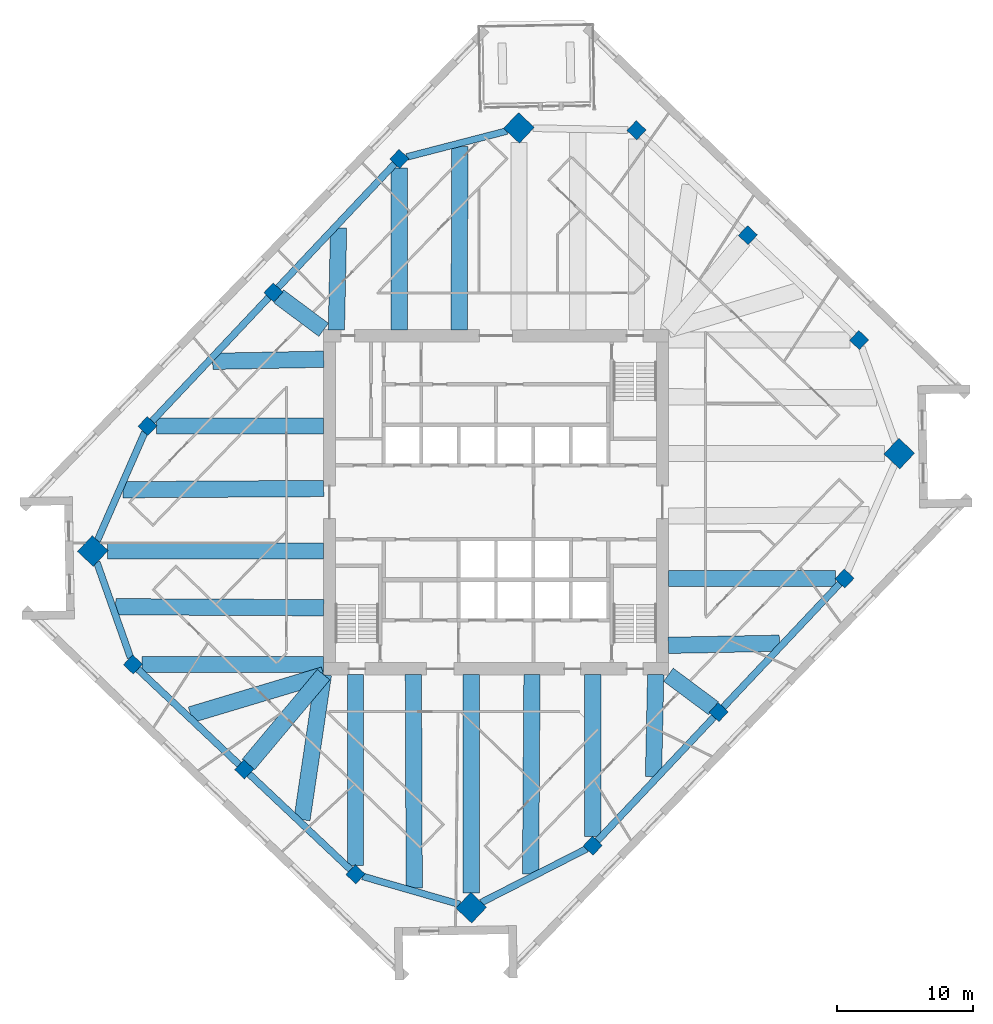
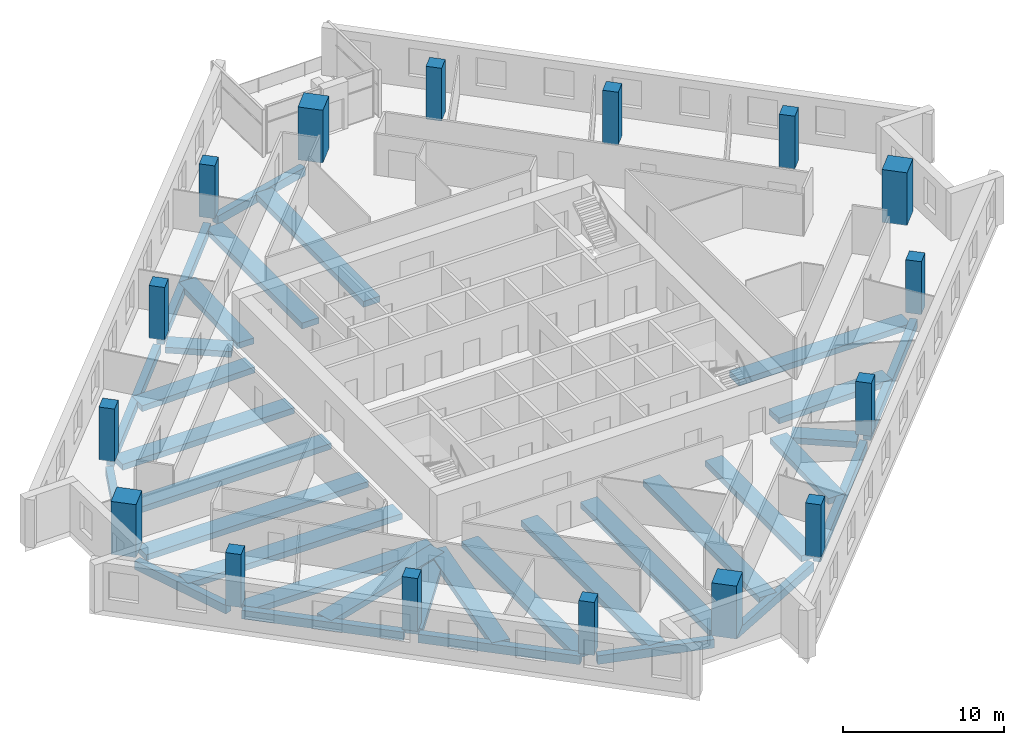
# One storey, part 1 of 13: 33 beams, 16 columns.
"""IFC4 building model written with IfcOpenShell, lengths in metres."""

from ifc_helpers import new_model, si_unit, direction, frame, origin, origin_2d, place, context, subcontext, project, spatial, rectangle, extrude, material, material_profile, profile_set, type_object, element, save


model = new_model("IFC4")

# Units and contexts
model_context = context("Model", 3, precision=1e-05, world=origin(), true_north=direction((0.0, 1.0)))
body_context = subcontext(model_context, "Body", "Model", "MODEL_VIEW")
ifc_project = project(units=[si_unit("LENGTHUNIT", "METRE"), si_unit("AREAUNIT", "SQUARE_METRE"), si_unit("VOLUMEUNIT", "CUBIC_METRE"), si_unit("PLANEANGLEUNIT", "RADIAN"), si_unit("MASSUNIT", "GRAM", prefix="KILO")], contexts=[model_context])

# Site, building, storey
site_placement = place(None, origin())
site = spatial("IfcSite", under=ifc_project, at=site_placement, CompositionType="ELEMENT")
building_placement = place(site_placement, origin())
building = spatial("IfcBuilding", under=site, at=building_placement, Name="Dilmun Exchange Tower", CompositionType="ELEMENT")
storey_placement = place(building_placement, frame((0.0, 0.0, 205.300048828125)))
storey = spatial("IfcBuildingStorey", under=building, at=storey_placement, Name="L48", CompositionType="ELEMENT", Elevation=205.300048828125)

# Columns
ifc_material_1 = material(Name="Concrete C60/75", Category="concrete")
ifc_material_profile_1 = material_profile(ifc_material_1, rectangle(XDim=1.60009765625, YDim=1.60009765625, at=origin_2d()), Name="1600 x 1600")
ifc_profile_set_1 = profile_set([ifc_material_profile_1], Name="Concrete C60/75")
column_type_1 = type_object("IfcColumnType", Name="RC mega column 1600 x 1600 C60/75", PredefinedType="COLUMN", material=ifc_profile_set_1)
for number, where, z_axis, x_axis, name in (
    (1, (1.68505859375, 27.5380859375, 0.0), (0.0, 0.0, 1.0), (0.685916152371, 0.727680583715, 0.0), "Mega column M1"),
    (2, (-29.658935546875, -3.58203125, 0.0), (0.0, 0.0, 1.0), (0.685916152371, 0.727680583715, 0.0), "Mega column M2"),
    (3, (-1.824951171875, -29.818115234375, 0.0), (0.0, 0.0, 1.0), (0.685916152371, 0.727680583715, 0.0), "Mega column M3"),
    (4, (29.658935546875, 3.58203125, 0.0), (0.0, 0.0, 1.0), (0.685916152371, 0.727680583715, 0.0), "Mega column M4"),
):
    element("IfcColumn", number, at=place(storey_placement, frame(where, z_axis=z_axis, x_axis=x_axis)), inside=storey, type_object=column_type_1, Name=name, PredefinedType="COLUMN", context=body_context, shape_type="SweptSolid", body=[
        extrude(rectangle(XDim=1.60009765625, YDim=1.60009765625, at=origin_2d()), origin(), (0.0, 0.0, 1.0), 4.0),
    ])
ifc_material_profile_2 = material_profile(ifc_material_1, rectangle(XDim=1.0, YDim=1.0, at=origin_2d()), Name="1000 x 1000")
ifc_profile_set_2 = profile_set([ifc_material_profile_2], Name="Concrete C60/75")
column_type_2 = type_object("IfcColumnType", Name="RC ring column 1000 x 1000 C60/75", PredefinedType="COLUMN", material=ifc_profile_set_2)
for number, where, z_axis, x_axis, name in (
    (5, (-7.113037109375, 25.257080078125, 0.0), (0.0, 0.0, 1.0), (0.685916152371, 0.727680583715, 0.0), "Ring column R01"),
    (6, (-16.373046875, 15.43310546875, 0.0), (0.0, 0.0, 1.0), (0.685916152371, 0.727680583715, 0.0), "Ring column R02"),
    (7, (-25.633056640625, 5.60888671875, 0.0), (0.0, 0.0, 1.0), (0.685916152371, 0.727680583715, 0.0), "Ring column R03"),
    (8, (-26.7060546875, -11.930908203125, 0.0), (0.0, 0.0, 1.0), (0.685916152371, 0.727680583715, 0.0), "Ring column R04"),
    (9, (-18.52001953125, -19.64697265625, 0.0), (0.0, 0.0, 1.0), (0.685916152371, 0.727680583715, 0.0), "Ring column R05"),
    (10, (-10.3330078125, -27.364013671875, 0.0), (0.0, 0.0, 1.0), (0.685916152371, 0.727680583715, 0.0), "Ring column R06"),
    (11, (7.113037109375, -25.257080078125, 0.0), (0.0, 0.0, 1.0), (0.685916152371, 0.727680583715, 0.0), "Ring column R07"),
    (12, (16.373046875, -15.43310546875, 0.0), (0.0, 0.0, 1.0), (0.685916152371, 0.727680583715, 0.0), "Ring column R08"),
    (13, (25.633056640625, -5.60888671875, 0.0), (0.0, 0.0, 1.0), (0.685916152371, 0.727680583715, 0.0), "Ring column R09"),
    (14, (26.7060546875, 11.930908203125, 0.0), (0.0, 0.0, 1.0), (0.685916152371, 0.727680583715, 0.0), "Ring column R10"),
    (15, (18.52001953125, 19.64697265625, 0.0), (0.0, 0.0, 1.0), (0.685916152371, 0.727680583715, 0.0), "Ring column R11"),
    (16, (10.3330078125, 27.364013671875, 0.0), (0.0, 0.0, 1.0), (0.685916152371, 0.727680583715, 0.0), "Ring column R12"),
):
    element("IfcColumn", number, at=place(storey_placement, frame(where, z_axis=z_axis, x_axis=x_axis)), inside=storey, type_object=column_type_2, Name=name, PredefinedType="COLUMN", context=body_context, shape_type="SweptSolid", body=[
        extrude(rectangle(XDim=1.0, YDim=1.0, at=origin_2d()), origin(), (0.0, 0.0, 1.0), 4.0),
    ])

# Beams
ifc_material_2 = material(Name="Concrete C40/50", Category="concrete")
ifc_material_profile_3 = material_profile(ifc_material_2, rectangle(XDim=1.199951171875, YDim=0.449951171875, at=origin_2d()), Name="1200 x 450")
ifc_profile_set_3 = profile_set([ifc_material_profile_3], Name="Concrete C40/50")
beam_type_1 = type_object("IfcBeamType", Name="RC band beam 1200 x 450 C40/50", PredefinedType="BEAM", material=ifc_profile_set_3)
beam_1_placement = place(storey_placement, frame((-7.113037109375, 24.596923828125, -0.705078125), z_axis=(0.0, -1.0, 0.0), x_axis=(1.0, 0.0, 0.0)))
element("IfcBeam", 17, at=beam_1_placement, inside=storey, type_object=beam_type_1, Name="Band beam 2", PredefinedType="BEAM", context=body_context, shape_type="SweptSolid", body=[
    extrude(rectangle(XDim=1.199951171875, YDim=0.449951171875, at=origin_2d()), origin(), (0.0, 0.0, 1.0), 11.923828125),
])
beam_2_placement = place(storey_placement, frame((-15.99072265625, 15.148681640625, -0.705078125), z_axis=(0.802264832552, -0.596968289317, 0.0), x_axis=(0.596968289317, 0.802264832552, 0.0)))
element("IfcBeam", 18, at=beam_2_placement, inside=storey, type_object=beam_type_1, Name="Band beam 3", PredefinedType="BEAM", context=body_context, shape_type="SweptSolid", body=[
    extrude(rectangle(XDim=1.199951171875, YDim=0.449951171875, at=origin_2d()), origin(), (0.0, 0.0, 1.0), 4.12890625),
])
beam_3_placement = place(storey_placement, frame((-24.972900390625, 5.60888671875, -0.705078125), z_axis=(1.0, 0.0, 0.0), x_axis=(0.0, 1.0, 0.0)))
element("IfcBeam", 19, at=beam_3_placement, inside=storey, type_object=beam_type_1, Name="Band beam 4", PredefinedType="BEAM", context=body_context, shape_type="SweptSolid", body=[
    extrude(rectangle(XDim=1.199951171875, YDim=0.449951171875, at=origin_2d()), origin(), (0.0, 0.0, 1.0), 12.2998046875),
])
beam_4_placement = place(storey_placement, frame((-28.586669921875, -3.58203125, -0.705078125), z_axis=(1.0, 0.0, 0.0), x_axis=(0.0, 1.0, 0.0)))
element("IfcBeam", 20, at=beam_4_placement, inside=storey, type_object=beam_type_1, Name="Band beam 5", PredefinedType="BEAM", context=body_context, shape_type="SweptSolid", body=[
    extrude(rectangle(XDim=1.199951171875, YDim=0.449951171875, at=origin_2d()), origin(), (0.0, 0.0, 1.0), 15.91357421875),
])
beam_5_placement = place(storey_placement, frame((-26.0458984375, -11.930908203125, -0.705078125), z_axis=(1.0, 0.0, 0.0), x_axis=(0.0, 1.0, 0.0)))
element("IfcBeam", 21, at=beam_5_placement, inside=storey, type_object=beam_type_1, Name="Band beam 6", PredefinedType="BEAM", context=body_context, shape_type="SweptSolid", body=[
    extrude(rectangle(XDim=1.199951171875, YDim=0.449951171875, at=origin_2d()), origin(), (0.0, 0.0, 1.0), 13.372802734375),
])
beam_6_placement = place(storey_placement, frame((-18.2158203125, -19.28369140625, -0.705078125), z_axis=(0.642200063897, 0.766537068856, 0.0), x_axis=(-0.766537068856, 0.642200063897, 0.0)))
element("IfcBeam", 22, at=beam_6_placement, inside=storey, type_object=beam_type_1, Name="Band beam 7", PredefinedType="BEAM", context=body_context, shape_type="SweptSolid", body=[
    extrude(rectangle(XDim=1.199951171875, YDim=0.449951171875, at=origin_2d()), origin(), (0.0, 0.0, 1.0), 8.615966796875),
])
beam_7_placement = place(storey_placement, frame((-10.3330078125, -26.703857421875, -0.705078125), z_axis=(0.0, 1.0, 0.0), x_axis=(-1.0, 0.0, 0.0)))
element("IfcBeam", 23, at=beam_7_placement, inside=storey, type_object=beam_type_1, Name="Band beam 8", PredefinedType="BEAM", context=body_context, shape_type="SweptSolid", body=[
    extrude(rectangle(XDim=1.199951171875, YDim=0.449951171875, at=origin_2d()), origin(), (0.0, 0.0, 1.0), 14.03076171875),
])
beam_8_placement = place(storey_placement, frame((-1.824951171875, -28.74560546875, -0.705078125), z_axis=(0.0, 1.0, 0.0), x_axis=(-1.0, 0.0, 0.0)))
element("IfcBeam", 24, at=beam_8_placement, inside=storey, type_object=beam_type_1, Name="Band beam 9", PredefinedType="BEAM", context=body_context, shape_type="SweptSolid", body=[
    extrude(rectangle(XDim=1.199951171875, YDim=0.449951171875, at=origin_2d()), origin(), (0.0, 0.0, 1.0), 16.072509765625),
])
beam_9_placement = place(storey_placement, frame((7.113037109375, -24.596923828125, -0.705078125), z_axis=(0.0, 1.0, 0.0), x_axis=(-1.0, 0.0, 0.0)))
element("IfcBeam", 25, at=beam_9_placement, inside=storey, type_object=beam_type_1, Name="Band beam 10", PredefinedType="BEAM", context=body_context, shape_type="SweptSolid", body=[
    extrude(rectangle(XDim=1.199951171875, YDim=0.449951171875, at=origin_2d()), origin(), (0.0, 0.0, 1.0), 11.923828125),
])
beam_10_placement = place(storey_placement, frame((15.99072265625, -15.148681640625, -0.705078125), z_axis=(-0.802264832552, 0.596968289317, 0.0), x_axis=(-0.596968289317, -0.802264832552, 0.0)))
element("IfcBeam", 26, at=beam_10_placement, inside=storey, type_object=beam_type_1, Name="Band beam 11", PredefinedType="BEAM", context=body_context, shape_type="SweptSolid", body=[
    extrude(rectangle(XDim=1.199951171875, YDim=0.449951171875, at=origin_2d()), origin(), (0.0, 0.0, 1.0), 4.12890625),
])
beam_11_placement = place(storey_placement, frame((24.972900390625, -5.60888671875, -0.705078125), z_axis=(-1.0, 0.0, 0.0), x_axis=(0.0, -1.0, 0.0)))
element("IfcBeam", 27, at=beam_11_placement, inside=storey, type_object=beam_type_1, Name="Band beam 12", PredefinedType="BEAM", context=body_context, shape_type="SweptSolid", body=[
    extrude(rectangle(XDim=1.199951171875, YDim=0.449951171875, at=origin_2d()), origin(), (0.0, 0.0, 1.0), 12.2998046875),
])
beam_12_placement = place(storey_placement, frame((-2.657958984375, 26.181640625, -0.60498046875), z_axis=(-0.004156765881, -0.999991360611, 0.0), x_axis=(0.999991360611, -0.004156765881, 0.0)))
element("IfcBeam", 28, at=beam_12_placement, inside=storey, type_object=beam_type_1, Name="Band beam 17", PredefinedType="BEAM", context=body_context, shape_type="SweptSolid", body=[
    extrude(rectangle(XDim=1.199951171875, YDim=0.449951171875, at=origin_2d()), origin(), (0.0, 0.0, 1.0), 13.508544921875),
])
beam_13_placement = place(storey_placement, frame((-11.580810546875, 20.19189453125, -0.60498046875), z_axis=(-0.021555532074, -0.999767652526, 0.0), x_axis=(0.999767652526, -0.021555532074, 0.0)))
element("IfcBeam", 29, at=beam_13_placement, inside=storey, type_object=beam_type_1, Name="Band beam 18", PredefinedType="BEAM", context=body_context, shape_type="SweptSolid", body=[
    extrude(rectangle(XDim=1.199951171875, YDim=0.449951171875, at=origin_2d()), origin(), (0.0, 0.0, 1.0), 7.5205078125),
])
beam_14_placement = place(storey_placement, frame((-20.8408203125, 10.367919921875, -0.60498046875), z_axis=(0.999824422594, 0.018738302585, 0.0), x_axis=(-0.018738302585, 0.999824422594, 0.0)))
element("IfcBeam", 30, at=beam_14_placement, inside=storey, type_object=beam_type_1, Name="Band beam 19", PredefinedType="BEAM", context=body_context, shape_type="SweptSolid", body=[
    extrude(rectangle(XDim=1.199951171875, YDim=0.449951171875, at=origin_2d()), origin(), (0.0, 0.0, 1.0), 8.169189453125),
])
beam_15_placement = place(storey_placement, frame((-27.441650390625, 0.924072265625, -0.60498046875), z_axis=(0.999981696912, 0.006050276087, 0.0), x_axis=(-0.006050276087, 0.999981696912, 0.0)))
element("IfcBeam", 31, at=beam_15_placement, inside=storey, type_object=beam_type_1, Name="Band beam 20", PredefinedType="BEAM", context=body_context, shape_type="SweptSolid", body=[
    extrude(rectangle(XDim=1.199951171875, YDim=0.449951171875, at=origin_2d()), origin(), (0.0, 0.0, 1.0), 14.768798828125),
])
beam_16_placement = place(storey_placement, frame((-27.972412109375, -7.68212890625, -0.60498046875), z_axis=(0.99998815601, -0.004867015408, 0.0), x_axis=(0.004867015408, 0.99998815601, 0.0)))
element("IfcBeam", 32, at=beam_16_placement, inside=storey, type_object=beam_type_1, Name="Band beam 21", PredefinedType="BEAM", context=body_context, shape_type="SweptSolid", body=[
    extrude(rectangle(XDim=1.199951171875, YDim=0.449951171875, at=origin_2d()), origin(), (0.0, 0.0, 1.0), 15.299560546875),
])
beam_17_placement = place(storey_placement, frame((-22.4599609375, -15.626708984375, -0.60498046875), z_axis=(0.957849959988, 0.287268957862, 0.0), x_axis=(-0.287268957862, 0.957849959988, 0.0)))
element("IfcBeam", 33, at=beam_17_placement, inside=storey, type_object=beam_type_1, Name="Band beam 22", PredefinedType="BEAM", context=body_context, shape_type="SweptSolid", body=[
    extrude(rectangle(XDim=1.199951171875, YDim=0.449951171875, at=origin_2d()), origin(), (0.0, 0.0, 1.0), 10.21630859375),
])
beam_18_placement = place(storey_placement, frame((-14.2734375, -23.34326171875, -0.60498046875), z_axis=(0.146268101323, 0.989244986106, 0.0), x_axis=(-0.989244986106, 0.146268101323, 0.0)))
element("IfcBeam", 34, at=beam_18_placement, inside=storey, type_object=beam_type_1, Name="Band beam 23", PredefinedType="BEAM", context=body_context, shape_type="SweptSolid", body=[
    extrude(rectangle(XDim=1.199951171875, YDim=0.449951171875, at=origin_2d()), origin(), (0.0, 0.0, 1.0), 10.785888671875),
])
beam_19_placement = place(storey_placement, frame((-6.01708984375, -28.376708984375, -0.60498046875), z_axis=(-0.003948851398, 0.999992203256, 0.0), x_axis=(-0.999992203256, -0.003948851398, 0.0)))
element("IfcBeam", 35, at=beam_19_placement, inside=storey, type_object=beam_type_1, Name="Band beam 24", PredefinedType="BEAM", context=body_context, shape_type="SweptSolid", body=[
    extrude(rectangle(XDim=1.199951171875, YDim=0.449951171875, at=origin_2d()), origin(), (0.0, 0.0, 1.0), 15.703857421875),
])
beam_20_placement = place(storey_placement, frame((2.54248046875, -27.3388671875, -0.60498046875), z_axis=(0.006924972536, 0.99997602209, 0.0), x_axis=(-0.99997602209, 0.006924972536, 0.0)))
element("IfcBeam", 36, at=beam_20_placement, inside=storey, type_object=beam_type_1, Name="Band beam 25", PredefinedType="BEAM", context=body_context, shape_type="SweptSolid", body=[
    extrude(rectangle(XDim=1.199951171875, YDim=0.449951171875, at=origin_2d()), origin(), (0.0, 0.0, 1.0), 14.666015625),
])
beam_21_placement = place(storey_placement, frame((11.580810546875, -20.19189453125, -0.60498046875), z_axis=(0.021555532074, 0.999767652526, 0.0), x_axis=(-0.999767652526, 0.021555532074, 0.0)))
element("IfcBeam", 37, at=beam_21_placement, inside=storey, type_object=beam_type_1, Name="Band beam 26", PredefinedType="BEAM", context=body_context, shape_type="SweptSolid", body=[
    extrude(rectangle(XDim=1.199951171875, YDim=0.449951171875, at=origin_2d()), origin(), (0.0, 0.0, 1.0), 7.5205078125),
])
beam_22_placement = place(storey_placement, frame((20.8408203125, -10.367919921875, -0.60498046875), z_axis=(-0.999824422594, -0.018738302585, 0.0), x_axis=(0.018738302585, -0.999824422594, 0.0)))
element("IfcBeam", 38, at=beam_22_placement, inside=storey, type_object=beam_type_1, Name="Band beam 27", PredefinedType="BEAM", context=body_context, shape_type="SweptSolid", body=[
    extrude(rectangle(XDim=1.199951171875, YDim=0.449951171875, at=origin_2d()), origin(), (0.0, 0.0, 1.0), 8.169189453125),
])
ifc_material_profile_4 = material_profile(ifc_material_2, rectangle(XDim=0.5, YDim=0.64990234375, at=origin_2d()), Name="500 x 650")
ifc_profile_set_4 = profile_set([ifc_material_profile_4], Name="Concrete C40/50")
beam_type_2 = type_object("IfcBeamType", Name="RC ring beam 500 x 650 C40/50", PredefinedType="SPANDREL", material=ifc_profile_set_4)
beam_23_placement = place(storey_placement, frame((0.79638671875, 27.3076171875, -0.705078125), z_axis=(-0.967995165605, -0.250968841424, 0.0), x_axis=(0.250968841424, -0.967995165605, 0.0)))
element("IfcBeam", 39, at=beam_23_placement, inside=storey, type_object=beam_type_2, Name="Ring beam 1", PredefinedType="SPANDREL", context=body_context, shape_type="SweptSolid", body=[
    extrude(rectangle(XDim=0.5, YDim=0.64990234375, at=origin_2d()), origin(), (0.0, 0.0, 1.0), 7.607177734375),
])
for number, where, z_axis, x_axis, name in (
    (40, (-7.4375, 24.912841796875, -0.705078125), (-0.685902559512, -0.727693396188, 0.0), (0.727693396188, -0.685902559512, 0.0), "Ring beam 2"),
    (41, (-16.697509765625, 15.0888671875, -0.705078125), (-0.685902559512, -0.727693396188, 0.0), (0.727693396188, -0.685902559512, 0.0), "Ring beam 3"),
):
    element("IfcBeam", number, at=place(storey_placement, frame(where, z_axis=z_axis, x_axis=x_axis)), inside=storey, type_object=beam_type_2, Name=name, PredefinedType="SPANDREL", context=body_context, shape_type="SweptSolid", body=[
        extrude(rectangle(XDim=0.5, YDim=0.64990234375, at=origin_2d()), origin(), (0.0, 0.0, 1.0), 12.554443359375),
    ])
beam_24_placement = place(storey_placement, frame((-25.835205078125, 5.1474609375, -0.705078125), z_axis=(-0.401239440722, -0.915973204416, 0.0), x_axis=(0.915973204416, -0.401239440722, 0.0)))
element("IfcBeam", 42, at=beam_24_placement, inside=storey, type_object=beam_type_2, Name="Ring beam 4", PredefinedType="SPANDREL", context=body_context, shape_type="SweptSolid", body=[
    extrude(rectangle(XDim=0.5, YDim=0.64990234375, at=origin_2d()), origin(), (0.0, 0.0, 1.0), 8.707763671875),
])
beam_25_placement = place(storey_placement, frame((-29.367919921875, -4.404541015625, -0.705078125), z_axis=(0.333423578623, -0.942777130195, 0.0), x_axis=(0.942777130195, 0.333423578623, 0.0)))
element("IfcBeam", 43, at=beam_25_placement, inside=storey, type_object=beam_type_2, Name="Ring beam 5", PredefinedType="SPANDREL", context=body_context, shape_type="SweptSolid", body=[
    extrude(rectangle(XDim=0.5, YDim=0.64990234375, at=origin_2d()), origin(), (0.0, 0.0, 1.0), 7.4482421875),
])
beam_26_placement = place(storey_placement, frame((-26.36181640625, -12.25537109375, -0.705078125), z_axis=(0.727685706374, -0.68591071776, 0.0), x_axis=(0.68591071776, 0.727685706374, 0.0)))
element("IfcBeam", 44, at=beam_26_placement, inside=storey, type_object=beam_type_2, Name="Ring beam 6", PredefinedType="SPANDREL", context=body_context, shape_type="SweptSolid", body=[
    extrude(rectangle(XDim=0.5, YDim=0.64990234375, at=origin_2d()), origin(), (0.0, 0.0, 1.0), 10.30322265625),
])
beam_27_placement = place(storey_placement, frame((-18.17578125, -19.971435546875, -0.705078125), z_axis=(0.727682990869, -0.685913598641, 0.0), x_axis=(0.685913598641, 0.727682990869, 0.0)))
element("IfcBeam", 45, at=beam_27_placement, inside=storey, type_object=beam_type_2, Name="Ring beam 7", PredefinedType="SPANDREL", context=body_context, shape_type="SweptSolid", body=[
    extrude(rectangle(XDim=0.5, YDim=0.64990234375, at=origin_2d()), origin(), (0.0, 0.0, 1.0), 10.3046875),
])
beam_28_placement = place(storey_placement, frame((-9.818603515625, -27.51220703125, -0.705078125), z_axis=(0.960825605861, -0.277153666983, 0.0), x_axis=(0.277153666983, 0.960825605861, 0.0)))
element("IfcBeam", 46, at=beam_28_placement, inside=storey, type_object=beam_type_2, Name="Ring beam 8", PredefinedType="SPANDREL", context=body_context, shape_type="SweptSolid", body=[
    extrude(rectangle(XDim=0.5, YDim=0.64990234375, at=origin_2d()), origin(), (0.0, 0.0, 1.0), 7.447021484375),
])
beam_29_placement = place(storey_placement, frame((-1.09228515625, -29.444091796875, -0.705078125), z_axis=(0.89072990219, 0.454532992581, 0.0), x_axis=(-0.454532992581, 0.89072990219, 0.0)))
element("IfcBeam", 47, at=beam_29_placement, inside=storey, type_object=beam_type_2, Name="Ring beam 9", PredefinedType="SPANDREL", context=body_context, shape_type="SweptSolid", body=[
    extrude(rectangle(XDim=0.5, YDim=0.64990234375, at=origin_2d()), origin(), (0.0, 0.0, 1.0), 8.707763671875),
])
for number, where, z_axis, x_axis, name in (
    (48, (7.4375, -24.912841796875, -0.705078125), (0.685902559512, 0.727693396188, 0.0), (-0.727693396188, 0.685902559512, 0.0), "Ring beam 10"),
    (49, (16.697509765625, -15.0888671875, -0.705078125), (0.685902559512, 0.727693396188, 0.0), (-0.727693396188, 0.685902559512, 0.0), "Ring beam 11"),
):
    element("IfcBeam", number, at=place(storey_placement, frame(where, z_axis=z_axis, x_axis=x_axis)), inside=storey, type_object=beam_type_2, Name=name, PredefinedType="SPANDREL", context=body_context, shape_type="SweptSolid", body=[
        extrude(rectangle(XDim=0.5, YDim=0.64990234375, at=origin_2d()), origin(), (0.0, 0.0, 1.0), 12.554443359375),
    ])

save(model, "model.ifc")
